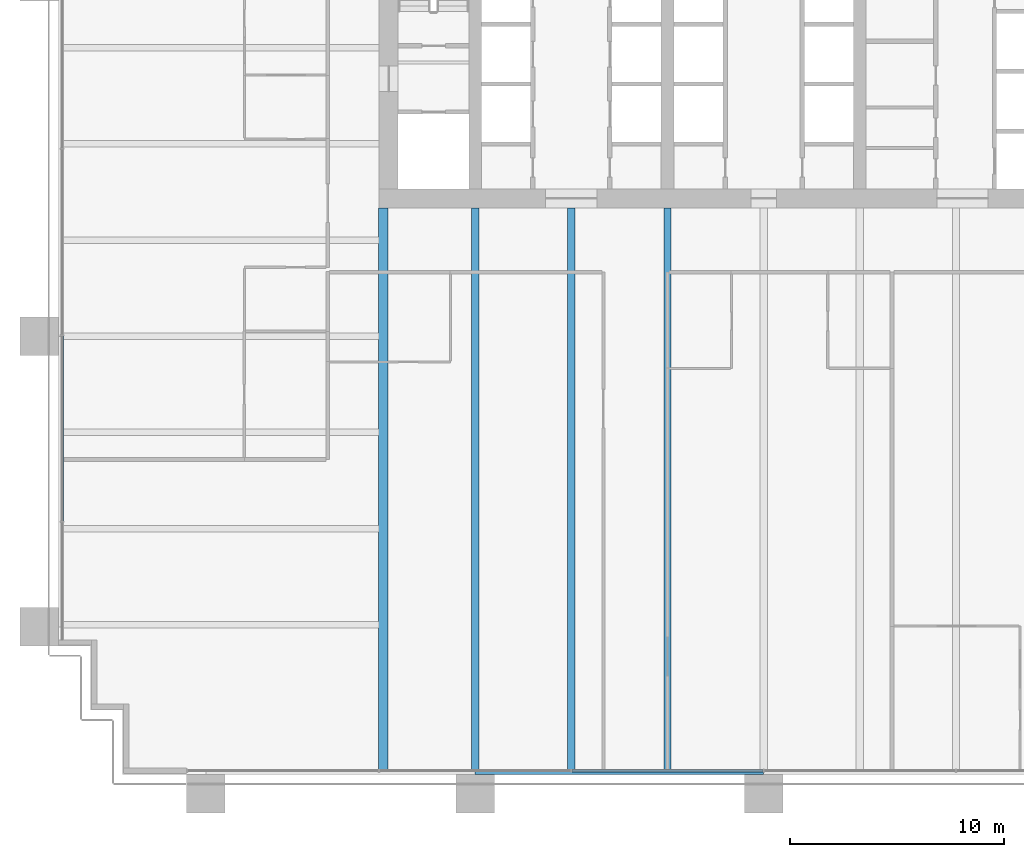
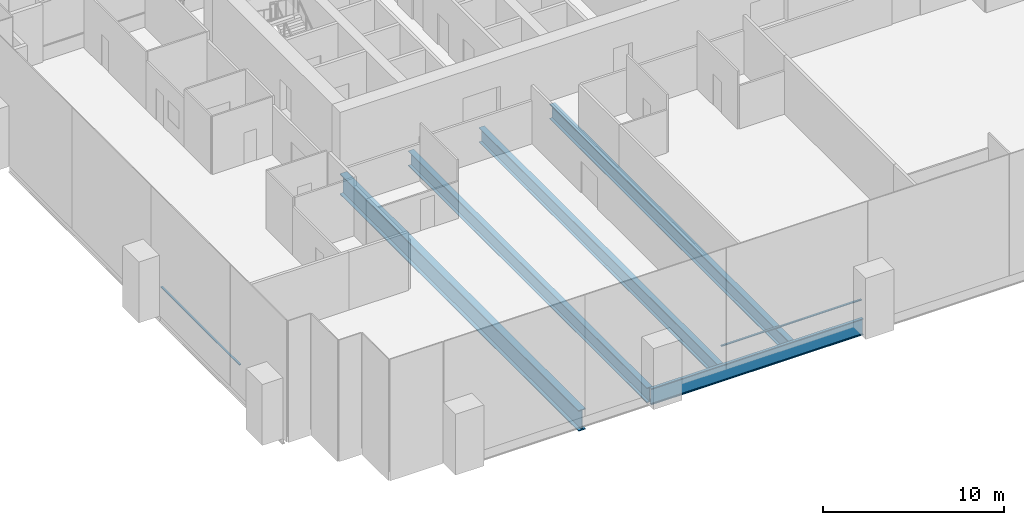
# One storey, part 3 of 17: 5 beams, 2 members, 2 elements without a shape of their own.
"""IFC4 building model written with IfcOpenShell, lengths in metres."""

from ifc_helpers import new_model, si_unit, direction, frame, origin, origin_2d, place, context, subcontext, project, spatial, rectangle, i_section, extrude, material, material_profile, profile_set, type_object, element, aggregate, save


model = new_model("IFC4")

# Units and contexts
model_context = context("Model", 3, precision=1e-05, world=origin(), true_north=direction((0.0, 1.0)))
body_context = subcontext(model_context, "Body", "Model", "MODEL_VIEW")
ifc_project = project(units=[si_unit("LENGTHUNIT", "METRE"), si_unit("AREAUNIT", "SQUARE_METRE"), si_unit("VOLUMEUNIT", "CUBIC_METRE"), si_unit("PLANEANGLEUNIT", "RADIAN"), si_unit("MASSUNIT", "GRAM", prefix="KILO")], contexts=[model_context])

# Site, building, storey
site_placement = place(None, origin())
site = spatial("IfcSite", under=ifc_project, at=site_placement, CompositionType="ELEMENT")
building_placement = place(site_placement, origin())
building = spatial("IfcBuilding", under=site, at=building_placement, Name="Rattan Terrace Tower", CompositionType="ELEMENT")
storey_placement = place(building_placement, frame((0.0, 0.0, 44.699951171875)))
storey = spatial("IfcBuildingStorey", under=building, at=storey_placement, Name="L09", CompositionType="ELEMENT", Elevation=44.699951171875)

# Curtain wall, member
ifc_material_1 = material(Name="Aluminium and glass", Category="aluminium")
curtain_wall_type = type_object("IfcCurtainWallType", Name="Facade Unitised Curtain Wall", PredefinedType="NOTDEFINED", material=ifc_material_1)
curtain_wall_1_placement = place(storey_placement, origin())
curtain_wall_1 = element("IfcCurtainWall", 1, at=curtain_wall_1_placement, inside=storey, type_object=curtain_wall_type, Name="Curtain wall L09-3", PredefinedType="NOTDEFINED")
ifc_material_2 = material(Name="Aluminium", Category="aluminium")
ifc_material_profile_1 = material_profile(ifc_material_2, rectangle(XDim=0.1201171875, YDim=0.06005859375, at=origin_2d()), Name="Aluminium 120x60")
ifc_profile_set_1 = profile_set([ifc_material_profile_1], Name="Aluminium")
member_type = type_object("IfcMemberType", Name="Facade CW Transom 120x60", PredefinedType="USERDEFINED", material=ifc_profile_set_1)
member_1_placement = place(storey_placement, frame((-32.830078125, -13.48388671875, 1.0), z_axis=(0.0, -1.0, 0.0), x_axis=(1.0, 0.0, 0.0)))
member_1 = element("IfcMember", 2, at=member_1_placement, type_object=member_type, Name="Transom cwl-L09-003.3", ObjectType="TRANSOM", PredefinedType="USERDEFINED", context=body_context, shape_type="SweptSolid", body=[
    extrude(rectangle(XDim=0.1201171875, YDim=0.06005859375, at=origin_2d()), origin(), (0.0, 0.0, 1.0), 8.6669921875),
])
aggregate(curtain_wall_1, [member_1])

curtain_wall_2_placement = place(storey_placement, origin())
curtain_wall_2 = element("IfcCurtainWall", 3, at=curtain_wall_2_placement, inside=storey, type_object=curtain_wall_type, Name="Curtain wall L09-4", PredefinedType="NOTDEFINED")
member_2_placement = place(storey_placement, frame((-8.969970703125, -33.830078125, 1.0), z_axis=(1.0, 0.0, 0.0), x_axis=(0.0, 1.0, 0.0)))
member_2 = element("IfcMember", 4, at=member_2_placement, type_object=member_type, Name="Transom cwl-L09-004.3", ObjectType="TRANSOM", PredefinedType="USERDEFINED", context=body_context, shape_type="SweptSolid", body=[
    extrude(rectangle(XDim=0.1201171875, YDim=0.06005859375, at=origin_2d()), origin(), (0.0, 0.0, 1.0), 8.93994140625),
])
aggregate(curtain_wall_2, [member_2])

# Beams
ifc_material_3 = material(Name="Steel S460", Category="steel")
ifc_material_profile_2 = material_profile(ifc_material_3, i_section(OverallWidth=0.449951171875, OverallDepth=1.39990234375, WebThickness=0.02197265625, FlangeThickness=0.054931640625, at=origin_2d()), Name="PG 1400x450-22-55")
ifc_profile_set_2 = profile_set([ifc_material_profile_2], Name="Steel S460")
beam_type_1 = type_object("IfcBeamType", Name="Frame core girder PG 1400x450-22-55", PredefinedType="BEAM", material=ifc_profile_set_2)
beam_1_placement = place(storey_placement, frame((-17.800048828125, -33.820068359375, -0.89990234375), z_axis=(0.0, 1.0, 0.0), x_axis=(-1.0, 0.0, 0.0)))
element("IfcBeam", 5, at=beam_1_placement, inside=storey, type_object=beam_type_1, Name="gdr-L09-013", PredefinedType="BEAM", context=body_context, shape_type="SweptSolid", body=[
    extrude(i_section(OverallWidth=0.449951171875, OverallDepth=1.39990234375, WebThickness=0.02197265625, FlangeThickness=0.054931640625, at=origin_2d()), origin(), (0.0, 0.0, 1.0), 26.320068359375),
])
ifc_material_4 = material(Name="Steel S460", Category="steel")
ifc_material_profile_3 = material_profile(ifc_material_4, i_section(OverallWidth=0.179931640625, OverallDepth=1.10009765625, WebThickness=0.01611328125, FlangeThickness=0.050048828125, at=origin_2d()), Name="PG 1100x180-16-50")
ifc_profile_set_3 = profile_set([ifc_material_profile_3], Name="Steel S460")
beam_type_2 = type_object("IfcBeamType", Name="Frame edge girder PG 1100x180-16-50", PredefinedType="SPANDREL", material=ifc_profile_set_3)
beam_2_placement = place(storey_placement, frame((-13.5, -33.909912109375, -0.75), z_axis=(1.0, 0.0, 0.0), x_axis=(0.0, 1.0, 0.0)))
element("IfcBeam", 6, at=beam_2_placement, inside=storey, type_object=beam_type_2, Name="gdr-L09-002", PredefinedType="SPANDREL", context=body_context, shape_type="SweptSolid", body=[
    extrude(i_section(OverallWidth=0.179931640625, OverallDepth=1.10009765625, WebThickness=0.01611328125, FlangeThickness=0.050048828125, at=origin_2d()), origin(), (0.0, 0.0, 1.0), 13.5),
])
ifc_material_5 = material(Name="Steel S460", Category="steel")
ifc_material_profile_4 = material_profile(ifc_material_5, i_section(OverallWidth=0.35009765625, OverallDepth=1.0, WebThickness=0.01611328125, FlangeThickness=0.044921875, at=origin_2d()), Name="PG 1000x350-16-45")
ifc_profile_set_4 = profile_set([ifc_material_profile_4], Name="Steel S460")
beam_type_3 = type_object("IfcBeamType", Name="Frame floor beam PG 1000x350-16-45", PredefinedType="JOIST", material=ifc_profile_set_4)
for number, where, z_axis, x_axis, name in (
    (7, (-13.5, -33.820068359375, -0.699951171875), (0.0, 1.0, 0.0), (-1.0, 0.0, 0.0), "bm-L09-003"),
    (8, (-9.0, -33.820068359375, -0.699951171875), (0.0, 1.0, 0.0), (-1.0, 0.0, 0.0), "bm-L09-004"),
    (9, (-4.5, -33.820068359375, -0.699951171875), (0.0, 1.0, 0.0), (-1.0, 0.0, 0.0), "bm-L09-005"),
):
    element("IfcBeam", number, at=place(storey_placement, frame(where, z_axis=z_axis, x_axis=x_axis)), inside=storey, type_object=beam_type_3, Name=name, PredefinedType="JOIST", context=body_context, shape_type="SweptSolid", body=[
        extrude(i_section(OverallWidth=0.35009765625, OverallDepth=1.0, WebThickness=0.01611328125, FlangeThickness=0.044921875, at=origin_2d()), origin(), (0.0, 0.0, 1.0), 26.320068359375),
    ])

save(model, "model.ifc")
